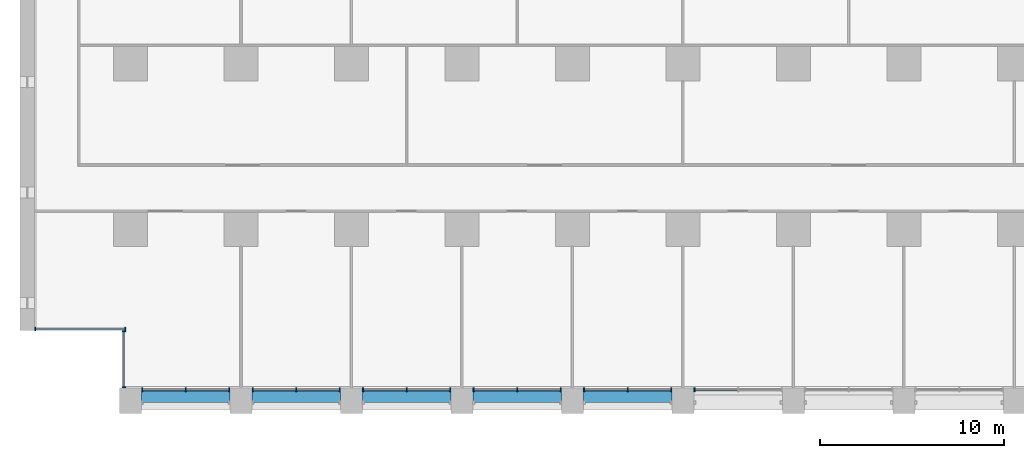
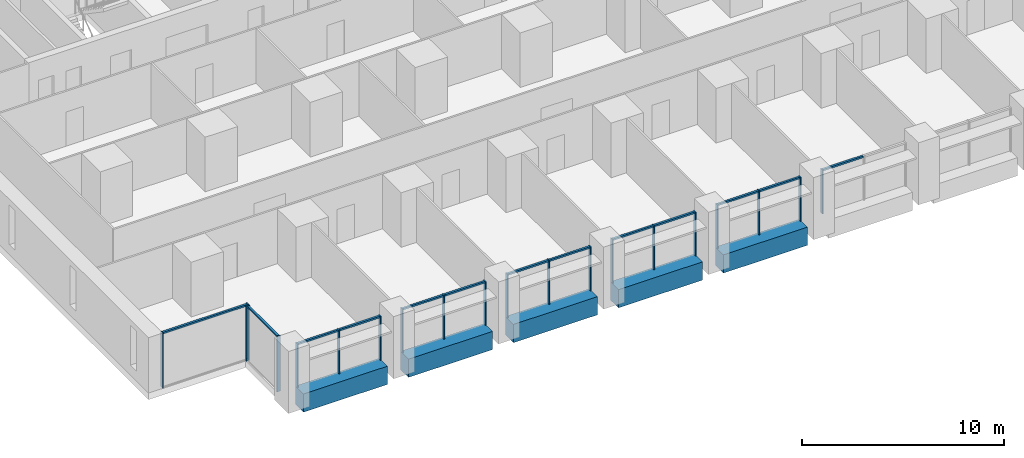
# One storey, part 2 of 18: 33 members, 5 beams, 8 elements without a shape of their own.
"""IFC4 building model written with IfcOpenShell, lengths in metres."""

from ifc_helpers import new_model, si_unit, direction, frame, origin, origin_2d, place, context, subcontext, project, spatial, rectangle, extrude, material, material_profile, profile_set, type_object, element, aggregate, save


model = new_model("IFC4")

# Units and contexts
model_context = context("Model", 3, precision=1e-05, world=origin(), true_north=direction((0.0, 1.0)))
body_context = subcontext(model_context, "Body", "Model", "MODEL_VIEW")
ifc_project = project(units=[si_unit("LENGTHUNIT", "METRE"), si_unit("AREAUNIT", "SQUARE_METRE"), si_unit("VOLUMEUNIT", "CUBIC_METRE"), si_unit("PLANEANGLEUNIT", "RADIAN"), si_unit("MASSUNIT", "GRAM", prefix="KILO")], contexts=[model_context])

# Site, building, storey
site_placement = place(None, origin())
site = spatial("IfcSite", under=ifc_project, at=site_placement, CompositionType="ELEMENT")
building_placement = place(site_placement, origin())
building = spatial("IfcBuilding", under=site, at=building_placement, Name="Calvaro Tower", CompositionType="ELEMENT")
storey_placement = place(building_placement, frame((0.0, 0.0, 26.25)))
storey = spatial("IfcBuildingStorey", under=building, at=storey_placement, Name="L05", CompositionType="ELEMENT", Elevation=26.25)

# Curtain wall, members
ifc_material_1 = material(Name="Anodised aluminium", Category="aluminium")
curtain_wall_type = type_object("IfcCurtainWallType", Name="Office curtain wall, lower zone", PredefinedType="NOTDEFINED", material=ifc_material_1)
curtain_wall_1_placement = place(storey_placement, origin())
curtain_wall_1 = element("IfcCurtainWall", 1, at=curtain_wall_1_placement, inside=storey, type_object=curtain_wall_type, Name="CW1 south curtain wall", PredefinedType="NOTDEFINED")
ifc_material_2 = material(Name="Anodised aluminium", Category="aluminium")
ifc_material_profile_1 = material_profile(ifc_material_2, rectangle(XDim=0.199951171875, YDim=0.06005859375, at=origin_2d()), Name="Mullion S1 60 x 200")
ifc_profile_set_1 = profile_set([ifc_material_profile_1], Name="Anodised aluminium")
member_type_1 = type_object("IfcMemberType", Name="Mullion S1 60 x 200", PredefinedType="MULLION", material=ifc_profile_set_1)
member_1_placement = place(storey_placement, frame((6.6298828125, 1.300048828125, 0.0), z_axis=(0.0, 0.0, 1.0), x_axis=(0.0, 1.0, 0.0)))
member_1 = element("IfcMember", 2, at=member_1_placement, type_object=member_type_1, Name="CW1 mullion 1", PredefinedType="MULLION", context=body_context, shape_type="SweptSolid", body=[
    extrude(rectangle(XDim=0.199951171875, YDim=0.06005859375, at=origin_2d()), origin(), (0.0, 0.0, 1.0), 2.64990234375),
])
member_2_placement = place(storey_placement, frame((9.0, 1.300048828125, 0.0), z_axis=(0.0, 0.0, 1.0), x_axis=(0.0, 1.0, 0.0)))
member_2 = element("IfcMember", 3, at=member_2_placement, type_object=member_type_1, Name="CW1 mullion 2", PredefinedType="MULLION", context=body_context, shape_type="SweptSolid", body=[
    extrude(rectangle(XDim=0.199951171875, YDim=0.06005859375, at=origin_2d()), origin(), (0.0, 0.0, 1.0), 2.64990234375),
])
member_3_placement = place(storey_placement, frame((11.3701171875, 1.300048828125, 0.0), z_axis=(0.0, 0.0, 1.0), x_axis=(0.0, 1.0, 0.0)))
member_3 = element("IfcMember", 4, at=member_3_placement, type_object=member_type_1, Name="CW1 mullion 3", PredefinedType="MULLION", context=body_context, shape_type="SweptSolid", body=[
    extrude(rectangle(XDim=0.199951171875, YDim=0.06005859375, at=origin_2d()), origin(), (0.0, 0.0, 1.0), 2.64990234375),
])

curtain_wall_2_placement = place(storey_placement, origin())
curtain_wall_2 = element("IfcCurtainWall", 5, at=curtain_wall_2_placement, inside=storey, type_object=curtain_wall_type, Name="CW1 south curtain wall", PredefinedType="NOTDEFINED")
member_4_placement = place(storey_placement, frame((12.6298828125, 1.300048828125, 0.0), z_axis=(0.0, 0.0, 1.0), x_axis=(0.0, 1.0, 0.0)))
member_4 = element("IfcMember", 6, at=member_4_placement, type_object=member_type_1, Name="CW1 mullion 1", PredefinedType="MULLION", context=body_context, shape_type="SweptSolid", body=[
    extrude(rectangle(XDim=0.199951171875, YDim=0.06005859375, at=origin_2d()), origin(), (0.0, 0.0, 1.0), 2.64990234375),
])
member_5_placement = place(storey_placement, frame((15.0, 1.300048828125, 0.0), z_axis=(0.0, 0.0, 1.0), x_axis=(0.0, 1.0, 0.0)))
member_5 = element("IfcMember", 7, at=member_5_placement, type_object=member_type_1, Name="CW1 mullion 2", PredefinedType="MULLION", context=body_context, shape_type="SweptSolid", body=[
    extrude(rectangle(XDim=0.199951171875, YDim=0.06005859375, at=origin_2d()), origin(), (0.0, 0.0, 1.0), 2.64990234375),
])
member_6_placement = place(storey_placement, frame((17.3701171875, 1.300048828125, 0.0), z_axis=(0.0, 0.0, 1.0), x_axis=(0.0, 1.0, 0.0)))
member_6 = element("IfcMember", 8, at=member_6_placement, type_object=member_type_1, Name="CW1 mullion 3", PredefinedType="MULLION", context=body_context, shape_type="SweptSolid", body=[
    extrude(rectangle(XDim=0.199951171875, YDim=0.06005859375, at=origin_2d()), origin(), (0.0, 0.0, 1.0), 2.64990234375),
])

curtain_wall_3_placement = place(storey_placement, origin())
curtain_wall_3 = element("IfcCurtainWall", 9, at=curtain_wall_3_placement, inside=storey, type_object=curtain_wall_type, Name="CW1 south curtain wall", PredefinedType="NOTDEFINED")
member_7_placement = place(storey_placement, frame((18.6298828125, 1.300048828125, 0.0), z_axis=(0.0, 0.0, 1.0), x_axis=(0.0, 1.0, 0.0)))
member_7 = element("IfcMember", 10, at=member_7_placement, type_object=member_type_1, Name="CW1 mullion 1", PredefinedType="MULLION", context=body_context, shape_type="SweptSolid", body=[
    extrude(rectangle(XDim=0.199951171875, YDim=0.06005859375, at=origin_2d()), origin(), (0.0, 0.0, 1.0), 2.64990234375),
])
member_8_placement = place(storey_placement, frame((21.0, 1.300048828125, 0.0), z_axis=(0.0, 0.0, 1.0), x_axis=(0.0, 1.0, 0.0)))
member_8 = element("IfcMember", 11, at=member_8_placement, type_object=member_type_1, Name="CW1 mullion 2", PredefinedType="MULLION", context=body_context, shape_type="SweptSolid", body=[
    extrude(rectangle(XDim=0.199951171875, YDim=0.06005859375, at=origin_2d()), origin(), (0.0, 0.0, 1.0), 2.64990234375),
])
member_9_placement = place(storey_placement, frame((23.3701171875, 1.300048828125, 0.0), z_axis=(0.0, 0.0, 1.0), x_axis=(0.0, 1.0, 0.0)))
member_9 = element("IfcMember", 12, at=member_9_placement, type_object=member_type_1, Name="CW1 mullion 3", PredefinedType="MULLION", context=body_context, shape_type="SweptSolid", body=[
    extrude(rectangle(XDim=0.199951171875, YDim=0.06005859375, at=origin_2d()), origin(), (0.0, 0.0, 1.0), 2.64990234375),
])

curtain_wall_4_placement = place(storey_placement, origin())
curtain_wall_4 = element("IfcCurtainWall", 13, at=curtain_wall_4_placement, inside=storey, type_object=curtain_wall_type, Name="CW1 south curtain wall", PredefinedType="NOTDEFINED")
member_10_placement = place(storey_placement, frame((24.6298828125, 1.300048828125, 0.0), z_axis=(0.0, 0.0, 1.0), x_axis=(0.0, 1.0, 0.0)))
member_10 = element("IfcMember", 14, at=member_10_placement, type_object=member_type_1, Name="CW1 mullion 1", PredefinedType="MULLION", context=body_context, shape_type="SweptSolid", body=[
    extrude(rectangle(XDim=0.199951171875, YDim=0.06005859375, at=origin_2d()), origin(), (0.0, 0.0, 1.0), 2.64990234375),
])
member_11_placement = place(storey_placement, frame((27.0, 1.300048828125, 0.0), z_axis=(0.0, 0.0, 1.0), x_axis=(0.0, 1.0, 0.0)))
member_11 = element("IfcMember", 15, at=member_11_placement, type_object=member_type_1, Name="CW1 mullion 2", PredefinedType="MULLION", context=body_context, shape_type="SweptSolid", body=[
    extrude(rectangle(XDim=0.199951171875, YDim=0.06005859375, at=origin_2d()), origin(), (0.0, 0.0, 1.0), 2.64990234375),
])
member_12_placement = place(storey_placement, frame((29.3701171875, 1.300048828125, 0.0), z_axis=(0.0, 0.0, 1.0), x_axis=(0.0, 1.0, 0.0)))
member_12 = element("IfcMember", 16, at=member_12_placement, type_object=member_type_1, Name="CW1 mullion 3", PredefinedType="MULLION", context=body_context, shape_type="SweptSolid", body=[
    extrude(rectangle(XDim=0.199951171875, YDim=0.06005859375, at=origin_2d()), origin(), (0.0, 0.0, 1.0), 2.64990234375),
])

curtain_wall_5_placement = place(storey_placement, origin())
curtain_wall_5 = element("IfcCurtainWall", 17, at=curtain_wall_5_placement, inside=storey, type_object=curtain_wall_type, Name="CW1 south curtain wall", PredefinedType="NOTDEFINED")
member_13_placement = place(storey_placement, frame((30.6298828125, 1.300048828125, 0.0), z_axis=(0.0, 0.0, 1.0), x_axis=(0.0, 1.0, 0.0)))
member_13 = element("IfcMember", 18, at=member_13_placement, type_object=member_type_1, Name="CW1 mullion 1", PredefinedType="MULLION", context=body_context, shape_type="SweptSolid", body=[
    extrude(rectangle(XDim=0.199951171875, YDim=0.06005859375, at=origin_2d()), origin(), (0.0, 0.0, 1.0), 2.64990234375),
])
member_14_placement = place(storey_placement, frame((33.0, 1.300048828125, 0.0), z_axis=(0.0, 0.0, 1.0), x_axis=(0.0, 1.0, 0.0)))
member_14 = element("IfcMember", 19, at=member_14_placement, type_object=member_type_1, Name="CW1 mullion 2", PredefinedType="MULLION", context=body_context, shape_type="SweptSolid", body=[
    extrude(rectangle(XDim=0.199951171875, YDim=0.06005859375, at=origin_2d()), origin(), (0.0, 0.0, 1.0), 2.64990234375),
])
member_15_placement = place(storey_placement, frame((35.3701171875, 1.300048828125, 0.0), z_axis=(0.0, 0.0, 1.0), x_axis=(0.0, 1.0, 0.0)))
member_15 = element("IfcMember", 20, at=member_15_placement, type_object=member_type_1, Name="CW1 mullion 3", PredefinedType="MULLION", context=body_context, shape_type="SweptSolid", body=[
    extrude(rectangle(XDim=0.199951171875, YDim=0.06005859375, at=origin_2d()), origin(), (0.0, 0.0, 1.0), 2.64990234375),
])

# Curtain wall, member
curtain_wall_6_placement = place(storey_placement, origin())
curtain_wall_6 = element("IfcCurtainWall", 21, at=curtain_wall_6_placement, inside=storey, type_object=curtain_wall_type, Name="CW1 south curtain wall", PredefinedType="NOTDEFINED")
member_16_placement = place(storey_placement, frame((36.6298828125, 1.300048828125, 0.0), z_axis=(0.0, 0.0, 1.0), x_axis=(0.0, 1.0, 0.0)))
member_16 = element("IfcMember", 22, at=member_16_placement, type_object=member_type_1, Name="CW1 mullion 1", PredefinedType="MULLION", context=body_context, shape_type="SweptSolid", body=[
    extrude(rectangle(XDim=0.199951171875, YDim=0.06005859375, at=origin_2d()), origin(), (0.0, 0.0, 1.0), 2.64990234375),
])

# Curtain wall, members
curtain_wall_7_placement = place(storey_placement, origin())
curtain_wall_7 = element("IfcCurtainWall", 23, at=curtain_wall_7_placement, inside=storey, type_object=curtain_wall_type, Name="CW1 corner curtain wall", PredefinedType="NOTDEFINED")
member_17_placement = place(storey_placement, frame((5.64990234375, 1.429931640625, 0.0), z_axis=(0.0, 0.0, 1.0), x_axis=(-1.0, 0.0, 0.0)))
member_17 = element("IfcMember", 24, at=member_17_placement, type_object=member_type_1, Name="CW1 mullion 1", PredefinedType="MULLION", context=body_context, shape_type="SweptSolid", body=[
    extrude(rectangle(XDim=0.199951171875, YDim=0.06005859375, at=origin_2d()), origin(), (0.0, 0.0, 1.0), 3.35009765625),
])
member_18_placement = place(storey_placement, frame((5.64990234375, 4.469970703125, 0.0), z_axis=(0.0, 0.0, 1.0), x_axis=(-1.0, 0.0, 0.0)))
member_18 = element("IfcMember", 25, at=member_18_placement, type_object=member_type_1, Name="CW1 mullion 2", PredefinedType="MULLION", context=body_context, shape_type="SweptSolid", body=[
    extrude(rectangle(XDim=0.199951171875, YDim=0.06005859375, at=origin_2d()), origin(), (0.0, 0.0, 1.0), 3.35009765625),
])

curtain_wall_8_placement = place(storey_placement, origin())
curtain_wall_8 = element("IfcCurtainWall", 26, at=curtain_wall_8_placement, inside=storey, type_object=curtain_wall_type, Name="CW1 corner curtain wall", PredefinedType="NOTDEFINED")
member_19_placement = place(storey_placement, frame((0.830078125, 4.60009765625, 0.0), z_axis=(0.0, 0.0, 1.0), x_axis=(0.0, 1.0, 0.0)))
member_19 = element("IfcMember", 27, at=member_19_placement, type_object=member_type_1, Name="CW1 mullion 1", PredefinedType="MULLION", context=body_context, shape_type="SweptSolid", body=[
    extrude(rectangle(XDim=0.199951171875, YDim=0.06005859375, at=origin_2d()), origin(), (0.0, 0.0, 1.0), 3.35009765625),
])
member_20_placement = place(storey_placement, frame((5.719970703125, 4.60009765625, 0.0), z_axis=(0.0, 0.0, 1.0), x_axis=(0.0, 1.0, 0.0)))
member_20 = element("IfcMember", 28, at=member_20_placement, type_object=member_type_1, Name="CW1 mullion 2", PredefinedType="MULLION", context=body_context, shape_type="SweptSolid", body=[
    extrude(rectangle(XDim=0.199951171875, YDim=0.06005859375, at=origin_2d()), origin(), (0.0, 0.0, 1.0), 3.35009765625),
])

# Beams
ifc_material_3 = material(Name="Concrete C50/60 precast", Category="concrete")
ifc_material_profile_2 = material_profile(ifc_material_3, rectangle(XDim=0.800048828125, YDim=1.10009765625, at=origin_2d()), Name="RC 800x1100")
ifc_profile_set_2 = profile_set([ifc_material_profile_2], Name="Concrete C50/60 precast")
beam_type = type_object("IfcBeamType", Name="Spandrel beam 800x1100 C50/60", PredefinedType="SPANDREL", material=ifc_profile_set_2)
for number, where, z_axis, x_axis, name in (
    (29, (6.60009765625, 1.0, -0.550048828125), (1.0, 0.0, 0.0), (0.0, 1.0, 0.0), "Spandrel beam"),
    (30, (12.60009765625, 1.0, -0.550048828125), (1.0, 0.0, 0.0), (0.0, 1.0, 0.0), "Spandrel beam"),
    (31, (18.60009765625, 1.0, -0.550048828125), (1.0, 0.0, 0.0), (0.0, 1.0, 0.0), "Spandrel beam"),
    (32, (24.60009765625, 1.0, -0.550048828125), (1.0, 0.0, 0.0), (0.0, 1.0, 0.0), "Spandrel beam"),
    (33, (30.60009765625, 1.0, -0.550048828125), (1.0, 0.0, 0.0), (0.0, 1.0, 0.0), "Spandrel beam"),
):
    element("IfcBeam", number, at=place(storey_placement, frame(where, z_axis=z_axis, x_axis=x_axis)), inside=storey, type_object=beam_type, Name=name, PredefinedType="SPANDREL", context=body_context, shape_type="SweptSolid", body=[
        extrude(rectangle(XDim=0.800048828125, YDim=1.10009765625, at=origin_2d()), origin(), (0.0, 0.0, 1.0), 4.7998046875),
    ])

# Member
ifc_material_4 = material(Name="Anodised aluminium", Category="aluminium")
ifc_material_profile_3 = material_profile(ifc_material_4, rectangle(XDim=0.1201171875, YDim=0.10009765625, at=origin_2d()), Name="Transom S1 100 x 120")
ifc_profile_set_3 = profile_set([ifc_material_profile_3], Name="Anodised aluminium")
member_type_2 = type_object("IfcMemberType", Name="Transom S1 100 x 120", PredefinedType="USERDEFINED", material=ifc_profile_set_3)
member_21_placement = place(storey_placement, frame((6.659912109375, 1.300048828125, 2.60009765625), z_axis=(1.0, 0.0, 0.0), x_axis=(0.0, 1.0, 0.0)))
member_21 = element("IfcMember", 34, at=member_21_placement, type_object=member_type_2, Name="CW1 transom 1.1", ObjectType="TRANSOM", PredefinedType="USERDEFINED", context=body_context, shape_type="SweptSolid", body=[
    extrude(rectangle(XDim=0.1201171875, YDim=0.10009765625, at=origin_2d()), origin(), (0.0, 0.0, 1.0), 2.31005859375),
])

member_22_placement = place(storey_placement, frame((9.030029296875, 1.300048828125, 2.60009765625), z_axis=(1.0, 0.0, 0.0), x_axis=(0.0, 1.0, 0.0)))
member_22 = element("IfcMember", 35, at=member_22_placement, type_object=member_type_2, Name="CW1 transom 2.1", ObjectType="TRANSOM", PredefinedType="USERDEFINED", context=body_context, shape_type="SweptSolid", body=[
    extrude(rectangle(XDim=0.1201171875, YDim=0.10009765625, at=origin_2d()), origin(), (0.0, 0.0, 1.0), 2.31005859375),
])

aggregate(curtain_wall_1, [member_1, member_2, member_3, member_21, member_22])

member_23_placement = place(storey_placement, frame((12.659912109375, 1.300048828125, 2.60009765625), z_axis=(1.0, 0.0, 0.0), x_axis=(0.0, 1.0, 0.0)))
member_23 = element("IfcMember", 36, at=member_23_placement, type_object=member_type_2, Name="CW1 transom 1.1", ObjectType="TRANSOM", PredefinedType="USERDEFINED", context=body_context, shape_type="SweptSolid", body=[
    extrude(rectangle(XDim=0.1201171875, YDim=0.10009765625, at=origin_2d()), origin(), (0.0, 0.0, 1.0), 2.31005859375),
])

member_24_placement = place(storey_placement, frame((15.030029296875, 1.300048828125, 2.60009765625), z_axis=(1.0, 0.0, 0.0), x_axis=(0.0, 1.0, 0.0)))
member_24 = element("IfcMember", 37, at=member_24_placement, type_object=member_type_2, Name="CW1 transom 2.1", ObjectType="TRANSOM", PredefinedType="USERDEFINED", context=body_context, shape_type="SweptSolid", body=[
    extrude(rectangle(XDim=0.1201171875, YDim=0.10009765625, at=origin_2d()), origin(), (0.0, 0.0, 1.0), 2.31005859375),
])

aggregate(curtain_wall_2, [member_4, member_5, member_6, member_23, member_24])

member_25_placement = place(storey_placement, frame((18.659912109375, 1.300048828125, 2.60009765625), z_axis=(1.0, 0.0, 0.0), x_axis=(0.0, 1.0, 0.0)))
member_25 = element("IfcMember", 38, at=member_25_placement, type_object=member_type_2, Name="CW1 transom 1.1", ObjectType="TRANSOM", PredefinedType="USERDEFINED", context=body_context, shape_type="SweptSolid", body=[
    extrude(rectangle(XDim=0.1201171875, YDim=0.10009765625, at=origin_2d()), origin(), (0.0, 0.0, 1.0), 2.31005859375),
])

member_26_placement = place(storey_placement, frame((21.030029296875, 1.300048828125, 2.60009765625), z_axis=(1.0, 0.0, 0.0), x_axis=(0.0, 1.0, 0.0)))
member_26 = element("IfcMember", 39, at=member_26_placement, type_object=member_type_2, Name="CW1 transom 2.1", ObjectType="TRANSOM", PredefinedType="USERDEFINED", context=body_context, shape_type="SweptSolid", body=[
    extrude(rectangle(XDim=0.1201171875, YDim=0.10009765625, at=origin_2d()), origin(), (0.0, 0.0, 1.0), 2.31005859375),
])

aggregate(curtain_wall_3, [member_7, member_8, member_9, member_25, member_26])

member_27_placement = place(storey_placement, frame((24.659912109375, 1.300048828125, 2.60009765625), z_axis=(1.0, 0.0, 0.0), x_axis=(0.0, 1.0, 0.0)))
member_27 = element("IfcMember", 40, at=member_27_placement, type_object=member_type_2, Name="CW1 transom 1.1", ObjectType="TRANSOM", PredefinedType="USERDEFINED", context=body_context, shape_type="SweptSolid", body=[
    extrude(rectangle(XDim=0.1201171875, YDim=0.10009765625, at=origin_2d()), origin(), (0.0, 0.0, 1.0), 2.31005859375),
])

member_28_placement = place(storey_placement, frame((27.030029296875, 1.300048828125, 2.60009765625), z_axis=(1.0, 0.0, 0.0), x_axis=(0.0, 1.0, 0.0)))
member_28 = element("IfcMember", 41, at=member_28_placement, type_object=member_type_2, Name="CW1 transom 2.1", ObjectType="TRANSOM", PredefinedType="USERDEFINED", context=body_context, shape_type="SweptSolid", body=[
    extrude(rectangle(XDim=0.1201171875, YDim=0.10009765625, at=origin_2d()), origin(), (0.0, 0.0, 1.0), 2.31005859375),
])

aggregate(curtain_wall_4, [member_10, member_11, member_12, member_27, member_28])

member_29_placement = place(storey_placement, frame((30.659912109375, 1.300048828125, 2.60009765625), z_axis=(1.0, 0.0, 0.0), x_axis=(0.0, 1.0, 0.0)))
member_29 = element("IfcMember", 42, at=member_29_placement, type_object=member_type_2, Name="CW1 transom 1.1", ObjectType="TRANSOM", PredefinedType="USERDEFINED", context=body_context, shape_type="SweptSolid", body=[
    extrude(rectangle(XDim=0.1201171875, YDim=0.10009765625, at=origin_2d()), origin(), (0.0, 0.0, 1.0), 2.31005859375),
])

member_30_placement = place(storey_placement, frame((33.030029296875, 1.300048828125, 2.60009765625), z_axis=(1.0, 0.0, 0.0), x_axis=(0.0, 1.0, 0.0)))
member_30 = element("IfcMember", 43, at=member_30_placement, type_object=member_type_2, Name="CW1 transom 2.1", ObjectType="TRANSOM", PredefinedType="USERDEFINED", context=body_context, shape_type="SweptSolid", body=[
    extrude(rectangle(XDim=0.1201171875, YDim=0.10009765625, at=origin_2d()), origin(), (0.0, 0.0, 1.0), 2.31005859375),
])

aggregate(curtain_wall_5, [member_13, member_14, member_15, member_29, member_30])

member_31_placement = place(storey_placement, frame((36.659912109375, 1.300048828125, 2.60009765625), z_axis=(1.0, 0.0, 0.0), x_axis=(0.0, 1.0, 0.0)))
member_31 = element("IfcMember", 44, at=member_31_placement, type_object=member_type_2, Name="CW1 transom 1.1", ObjectType="TRANSOM", PredefinedType="USERDEFINED", context=body_context, shape_type="SweptSolid", body=[
    extrude(rectangle(XDim=0.1201171875, YDim=0.10009765625, at=origin_2d()), origin(), (0.0, 0.0, 1.0), 2.31005859375),
])

aggregate(curtain_wall_6, [member_16, member_31])

member_32_placement = place(storey_placement, frame((5.64990234375, 1.4599609375, 3.300048828125), z_axis=(0.0, 1.0, 0.0), x_axis=(-1.0, 0.0, 0.0)))
member_32 = element("IfcMember", 45, at=member_32_placement, type_object=member_type_2, Name="CW1 transom 1.1", ObjectType="TRANSOM", PredefinedType="USERDEFINED", context=body_context, shape_type="SweptSolid", body=[
    extrude(rectangle(XDim=0.1201171875, YDim=0.10009765625, at=origin_2d()), origin(), (0.0, 0.0, 1.0), 2.97998046875),
])

aggregate(curtain_wall_7, [member_17, member_18, member_32])

member_33_placement = place(storey_placement, frame((0.860107421875, 4.60009765625, 3.300048828125), z_axis=(1.0, 0.0, 0.0), x_axis=(0.0, 1.0, 0.0)))
member_33 = element("IfcMember", 46, at=member_33_placement, type_object=member_type_2, Name="CW1 transom 1.1", ObjectType="TRANSOM", PredefinedType="USERDEFINED", context=body_context, shape_type="SweptSolid", body=[
    extrude(rectangle(XDim=0.1201171875, YDim=0.10009765625, at=origin_2d()), origin(), (0.0, 0.0, 1.0), 4.829833984375),
])

aggregate(curtain_wall_8, [member_19, member_20, member_33])

save(model, "model.ifc")
